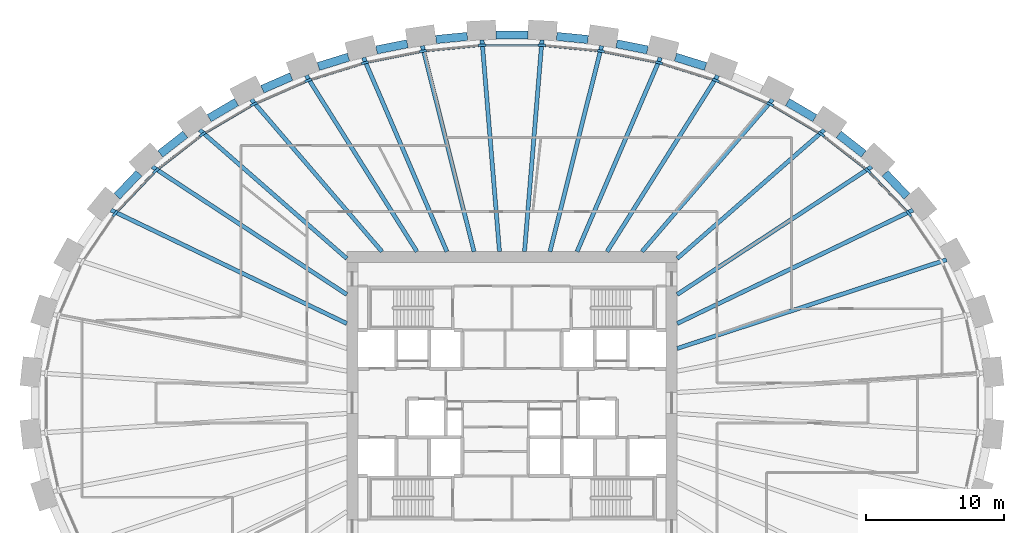
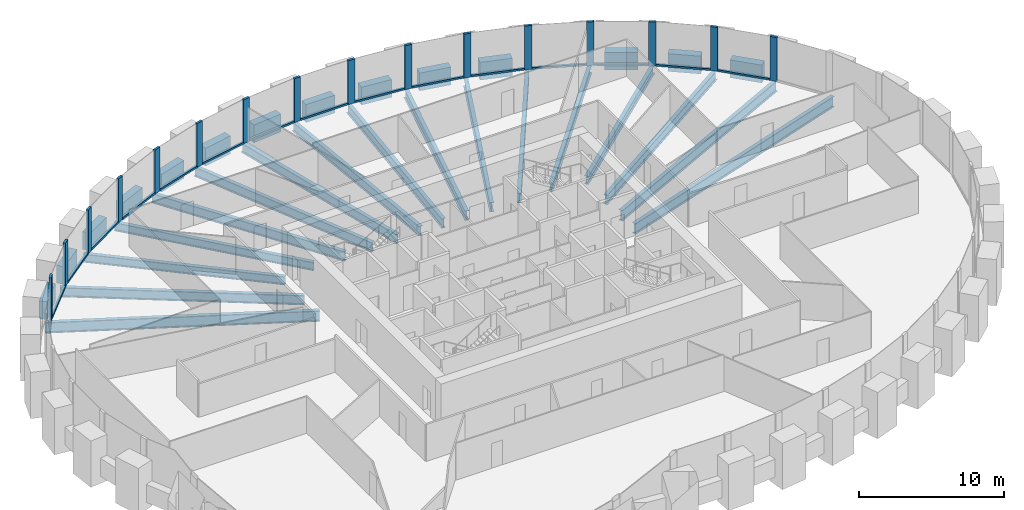
# One storey, part 3 of 11: 31 beams, 31 members, 1 element without a shape of its own.
"""IFC4 building model written with IfcOpenShell, lengths in metres."""

from ifc_helpers import new_model, si_unit, direction, frame, origin, origin_2d, place, context, subcontext, project, spatial, rectangle, i_section, extrude, source, transform, mapped, material, material_profile, profile_set, type_object, element, aggregate, save


model = new_model("IFC4")

# Units and contexts
model_context = context("Model", 3, precision=1e-05, world=origin(), true_north=direction((0.0, 1.0)))
body_context = subcontext(model_context, "Body", "Model", "MODEL_VIEW")
ifc_project = project(units=[si_unit("LENGTHUNIT", "METRE"), si_unit("AREAUNIT", "SQUARE_METRE"), si_unit("VOLUMEUNIT", "CUBIC_METRE"), si_unit("PLANEANGLEUNIT", "RADIAN"), si_unit("MASSUNIT", "GRAM", prefix="KILO")], contexts=[model_context])

# Site, building, storey
site_placement = place(None, origin())
site = spatial("IfcSite", under=ifc_project, at=site_placement, CompositionType="ELEMENT")
building_placement = place(site_placement, origin())
building = spatial("IfcBuilding", under=site, at=building_placement, Name="Embergate Tower", CompositionType="ELEMENT")
storey_placement = place(building_placement, frame((0.0, 0.0, 226.800048828125)))
storey = spatial("IfcBuildingStorey", under=building, at=storey_placement, Name="L52", CompositionType="ELEMENT", Elevation=226.800048828125)

# Beams
ifc_material_1 = material(Name="Concrete C60", Category="concrete")
ifc_material_profile_1 = material_profile(ifc_material_1, rectangle(XDim=0.60009765625, YDim=1.5, at=origin_2d()), Name="RC 600x1500")
ifc_profile_set_1 = profile_set([ifc_material_profile_1], Name="Concrete C60")
beam_type_1 = type_object("IfcBeamType", Name="Spandrel beam RC 600x1500 C60", PredefinedType="BEAM", material=ifc_profile_set_1)
shared_shape_1 = source(origin(), body_context, "Body", "SweptSolid", [
    extrude(rectangle(XDim=0.60009765625, YDim=1.5, at=origin_2d()), origin(), (0.0, 0.0, 1.0), 2.30712890625),
])
for number, where, z_axis, x_axis, name in (
    (1, (28.697998046875, 15.01611328125, 0.0), (-0.690460646057, 0.723369958076, 0.0), (-0.723369958076, -0.690460646057, 0.0), "SPN-L52-03"),
    (2, (-27.10498046875, 16.68505859375, 0.0), (-0.690460646057, -0.723369958076, 0.0), (0.723369958076, -0.690460646057, 0.0), "SPN-L52-17"),
):
    element("IfcBeam", number, at=place(storey_placement, frame(where, z_axis=z_axis, x_axis=x_axis)), inside=storey, type_object=beam_type_1, Name=name, PredefinedType="BEAM", context=body_context, shape_type="MappedRepresentation", body=[
        mapped(shared_shape_1, transform((0.0, 0.0, 0.0))),
    ])
shared_shape_2 = source(origin(), body_context, "Body", "SweptSolid", [
    extrude(rectangle(XDim=0.60009765625, YDim=1.5, at=origin_2d()), origin(), (0.0, 0.0, 1.0), 2.30224609375),
])
for number, where, z_axis, x_axis, name in (
    (3, (25.549072265625, 18.094970703125, 0.0), (-0.788466304813, 0.6150779513, 0.0), (-0.6150779513, -0.788466304813, 0.0), "SPN-L52-04"),
    (4, (-23.73388671875, 19.510986328125, 0.0), (-0.788466304813, -0.6150779513, 0.0), (0.6150779513, -0.788466304813, 0.0), "SPN-L52-16"),
):
    element("IfcBeam", number, at=place(storey_placement, frame(where, z_axis=z_axis, x_axis=x_axis)), inside=storey, type_object=beam_type_1, Name=name, PredefinedType="BEAM", context=body_context, shape_type="MappedRepresentation", body=[
        mapped(shared_shape_2, transform((0.0, 0.0, 0.0))),
    ])
shared_shape_3 = source(origin(), body_context, "Body", "SweptSolid", [
    extrude(rectangle(XDim=0.60009765625, YDim=1.5, at=origin_2d()), origin(), (0.0, 0.0, 1.0), 2.29931640625),
])
for number, where, z_axis, x_axis, name in (
    (5, (21.9970703125, 20.69189453125, 0.0), (-0.86211432003, 0.506713823769, 0.0), (-0.506713823769, -0.86211432003, 0.0), "SPN-L52-05"),
    (6, (-20.014892578125, 21.85693359375, 0.0), (-0.86211432003, -0.506713823769, 0.0), (0.506713823769, -0.86211432003, 0.0), "SPN-L52-15"),
):
    element("IfcBeam", number, at=place(storey_placement, frame(where, z_axis=z_axis, x_axis=x_axis)), inside=storey, type_object=beam_type_1, Name=name, PredefinedType="BEAM", context=body_context, shape_type="MappedRepresentation", body=[
        mapped(shared_shape_3, transform((0.0, 0.0, 0.0))),
    ])
shared_shape_4 = source(origin(), body_context, "Body", "SweptSolid", [
    extrude(rectangle(XDim=0.60009765625, YDim=1.5, at=origin_2d()), origin(), (0.0, 0.0, 1.0), 2.294189453125),
])
beam_1_placement = place(storey_placement, frame((-16.033935546875, 23.712890625, 0.0), z_axis=(-0.916269649714, -0.400562016437, 0.0), x_axis=(0.400562016437, -0.916269649714, 0.0)))
element("IfcBeam", 7, at=beam_1_placement, inside=storey, type_object=beam_type_1, Name="SPN-L52-14", PredefinedType="BEAM", context=body_context, shape_type="MappedRepresentation", body=[
    mapped(shared_shape_4, transform((0.0, 0.0, 0.0))),
])
shared_shape_5 = source(origin(), body_context, "Body", "SweptSolid", [
    extrude(rectangle(XDim=0.60009765625, YDim=1.5, at=origin_2d()), origin(), (0.0, 0.0, 1.0), 2.29248046875),
])
for number, where, z_axis, x_axis, name in (
    (8, (14.06689453125, 24.447021484375, 0.0), (-0.954869530389, 0.297025554345, 0.0), (-0.297025554345, -0.954869530389, 0.0), "SPN-L52-07"),
    (9, (-11.8779296875, 25.1279296875, 0.0), (-0.954869530389, -0.297025554345, 0.0), (0.297025554345, -0.954869530389, 0.0), "SPN-L52-13"),
):
    element("IfcBeam", number, at=place(storey_placement, frame(where, z_axis=z_axis, x_axis=x_axis)), inside=storey, type_object=beam_type_1, Name=name, PredefinedType="BEAM", context=body_context, shape_type="MappedRepresentation", body=[
        mapped(shared_shape_5, transform((0.0, 0.0, 0.0))),
    ])
shared_shape_6 = source(origin(), body_context, "Body", "SweptSolid", [
    extrude(rectangle(XDim=0.60009765625, YDim=1.5, at=origin_2d()), origin(), (0.0, 0.0, 1.0), 2.289794921875),
])
for number, where, z_axis, x_axis, name in (
    (10, (9.843017578125, 25.64794921875, 0.0), (-0.980502681686, 0.196505702735, 0.0), (-0.196505702735, -0.980502681686, 0.0), "SPN-L52-08"),
    (11, (-7.597900390625, 26.097900390625, 0.0), (-0.980502681686, -0.196505702735, 0.0), (0.196505702735, -0.980502681686, 0.0), "SPN-L52-12"),
):
    element("IfcBeam", number, at=place(storey_placement, frame(where, z_axis=z_axis, x_axis=x_axis)), inside=storey, type_object=beam_type_1, Name=name, PredefinedType="BEAM", context=body_context, shape_type="MappedRepresentation", body=[
        mapped(shared_shape_6, transform((0.0, 0.0, 0.0))),
    ])
shared_shape_7 = source(origin(), body_context, "Body", "SweptSolid", [
    extrude(rectangle(XDim=0.60009765625, YDim=1.5, at=origin_2d()), origin(), (0.0, 0.0, 1.0), 2.2890625),
])
for number, where, z_axis, x_axis, name in (
    (12, (5.52099609375, 26.407958984375, 0.0), (-0.995195366702, 0.097909050116, 0.0), (-0.097909050116, -0.995195366702, 0.0), "SPN-L52-09"),
    (13, (-3.242919921875, 26.632080078125, 0.0), (-0.995195366702, -0.097909050116, 0.0), (0.097909050116, -0.995195366702, 0.0), "SPN-L52-11"),
):
    element("IfcBeam", number, at=place(storey_placement, frame(where, z_axis=z_axis, x_axis=x_axis)), inside=storey, type_object=beam_type_1, Name=name, PredefinedType="BEAM", context=body_context, shape_type="MappedRepresentation", body=[
        mapped(shared_shape_7, transform((0.0, 0.0, 0.0))),
    ])
shared_shape_8 = source(origin(), body_context, "Body", "SweptSolid", [
    extrude(rectangle(XDim=0.60009765625, YDim=1.5, at=origin_2d()), origin(), (0.0, 0.0, 1.0), 2.2900390625),
])
beam_2_placement = place(storey_placement, frame((1.14501953125, 26.735107421875, 0.0), z_axis=(-1.0, 0.0, 0.0), x_axis=(0.0, -1.0, 0.0)))
element("IfcBeam", 14, at=beam_2_placement, inside=storey, type_object=beam_type_1, Name="SPN-L52-10", PredefinedType="BEAM", context=body_context, shape_type="MappedRepresentation", body=[
    mapped(shared_shape_8, transform((0.0, 0.0, 0.0))),
])
ifc_material_2 = material(Name="Steel Q355B", Category="steel")
ifc_material_profile_2 = material_profile(ifc_material_2, i_section(OverallWidth=0.300048828125, OverallDepth=0.89990234375, WebThickness=0.01611328125, FlangeThickness=0.028076171875, FilletRadius=0.028076171875, at=origin_2d()), Name="HN 900x300x16x28")
ifc_profile_set_2 = profile_set([ifc_material_profile_2], Name="Steel Q355 grade B")
beam_type_2 = type_object("IfcBeamType", Name="Radial girder HN 900x300x16x28", PredefinedType="BEAM", material=ifc_profile_set_2)
shared_shape_9 = source(origin(), body_context, "Body", "SweptSolid", [
    extrude(i_section(OverallWidth=0.300048828125, OverallDepth=0.89990234375, WebThickness=0.01611328125, FlangeThickness=0.028076171875, FilletRadius=0.028076171875, at=origin_2d()), origin(), (0.0, 0.0, 1.0), 20.614013671875),
])
beam_3_placement = place(storey_placement, frame((31.576904296875, 10.4130859375, -0.650146484375), z_axis=(-0.949691049508, -0.313188298767, 0.0), x_axis=(0.313188298767, -0.949691049508, 0.0)))
element("IfcBeam", 15, at=beam_3_placement, inside=storey, type_object=beam_type_2, Name="GIR-L52-02", PredefinedType="BEAM", context=body_context, shape_type="MappedRepresentation", body=[
    mapped(shared_shape_9, transform((0.0, 0.0, 0.0))),
])
shared_shape_10 = source(origin(), body_context, "Body", "SweptSolid", [
    extrude(i_section(OverallWidth=0.300048828125, OverallDepth=0.89990234375, WebThickness=0.01611328125, FlangeThickness=0.028076171875, FilletRadius=0.028076171875, at=origin_2d()), origin(), (0.0, 0.0, 1.0), 19.0078125),
])
for number, where, z_axis, x_axis, name in (
    (16, (29.12890625, 14.012939453125, -0.650146484375), (-0.901150926949, -0.433505486538, 0.0), (0.433505486538, -0.901150926949, 0.0), "GIR-L52-03"),
    (17, (-29.12890625, 14.012939453125, -0.650146484375), (0.901150926949, -0.433505486538, 0.0), (0.433505486538, 0.901150926949, 0.0), "GIR-L52-18"),
):
    element("IfcBeam", number, at=place(storey_placement, frame(where, z_axis=z_axis, x_axis=x_axis)), inside=storey, type_object=beam_type_2, Name=name, PredefinedType="BEAM", context=body_context, shape_type="MappedRepresentation", body=[
        mapped(shared_shape_10, transform((0.0, 0.0, 0.0))),
    ])
ifc_material_profile_3 = material_profile(ifc_material_2, i_section(OverallWidth=0.300048828125, OverallDepth=0.800048828125, WebThickness=0.013916015625, FlangeThickness=0.02587890625, FilletRadius=0.028076171875, at=origin_2d()), Name="HN 800x300x14x26")
ifc_profile_set_3 = profile_set([ifc_material_profile_3], Name="Steel Q355 grade B")
beam_type_3 = type_object("IfcBeamType", Name="Radial girder HN 800x300x14x26", PredefinedType="BEAM", material=ifc_profile_set_3)
shared_shape_11 = source(origin(), body_context, "Body", "SweptSolid", [
    extrude(i_section(OverallWidth=0.300048828125, OverallDepth=0.800048828125, WebThickness=0.013916015625, FlangeThickness=0.02587890625, FilletRadius=0.028076171875, at=origin_2d()), origin(), (0.0, 0.0, 1.0), 16.89990234375),
])
for number, where, z_axis, x_axis, name in (
    (18, (26.1240234375, 17.1640625, -0.60009765625), (-0.83574544769, -0.549117060986, 0.0), (0.549117060986, -0.83574544769, 0.0), "GIR-L52-04"),
    (19, (-26.1240234375, 17.1640625, -0.60009765625), (0.83574544769, -0.549117060986, 0.0), (0.549117060986, 0.83574544769, 0.0), "GIR-L52-17"),
):
    element("IfcBeam", number, at=place(storey_placement, frame(where, z_axis=z_axis, x_axis=x_axis)), inside=storey, type_object=beam_type_3, Name=name, PredefinedType="BEAM", context=body_context, shape_type="MappedRepresentation", body=[
        mapped(shared_shape_11, transform((0.0, 0.0, 0.0))),
    ])
ifc_material_profile_4 = material_profile(ifc_material_2, i_section(OverallWidth=0.300048828125, OverallDepth=0.699951171875, WebThickness=0.012939453125, FlangeThickness=0.02392578125, FilletRadius=0.01806640625, at=origin_2d()), Name="HN 700x300x13x24")
ifc_profile_set_4 = profile_set([ifc_material_profile_4], Name="Steel Q355 grade B")
beam_type_4 = type_object("IfcBeamType", Name="Radial girder HN 700x300x13x24", PredefinedType="BEAM", material=ifc_profile_set_4)
shared_shape_12 = source(origin(), body_context, "Body", "SweptSolid", [
    extrude(i_section(OverallWidth=0.300048828125, OverallDepth=0.699951171875, WebThickness=0.012939453125, FlangeThickness=0.02392578125, FilletRadius=0.01806640625, at=origin_2d()), origin(), (0.0, 0.0, 1.0), 14.2021484375),
])
for number, where, z_axis, x_axis, name in (
    (20, (22.69091796875, 19.843017578125, -0.550048828125), (-0.752766213958, -0.658287951525, 0.0), (0.658287951525, -0.752766213958, 0.0), "GIR-L52-05"),
    (21, (-22.69091796875, 19.843017578125, -0.550048828125), (0.752766213958, -0.658287951525, 0.0), (0.658287951525, 0.752766213958, 0.0), "GIR-L52-16"),
):
    element("IfcBeam", number, at=place(storey_placement, frame(where, z_axis=z_axis, x_axis=x_axis)), inside=storey, type_object=beam_type_4, Name=name, PredefinedType="BEAM", context=body_context, shape_type="MappedRepresentation", body=[
        mapped(shared_shape_12, transform((0.0, 0.0, 0.0))),
    ])
shared_shape_13 = source(origin(), body_context, "Body", "SweptSolid", [
    extrude(i_section(OverallWidth=0.300048828125, OverallDepth=0.699951171875, WebThickness=0.012939453125, FlangeThickness=0.02392578125, FilletRadius=0.01806640625, at=origin_2d()), origin(), (0.0, 0.0, 1.0), 14.566650390625),
])
for number, where, z_axis, x_axis, name in (
    (22, (18.93603515625, 22.051025390625, -0.550048828125), (-0.651490890216, -0.758656457144, 0.0), (0.758656457144, -0.651490890216, 0.0), "GIR-L52-06"),
    (23, (-18.93603515625, 22.051025390625, -0.550048828125), (0.651490890216, -0.758656457144, 0.0), (0.758656457144, 0.651490890216, 0.0), "GIR-L52-15"),
):
    element("IfcBeam", number, at=place(storey_placement, frame(where, z_axis=z_axis, x_axis=x_axis)), inside=storey, type_object=beam_type_4, Name=name, PredefinedType="BEAM", context=body_context, shape_type="MappedRepresentation", body=[
        mapped(shared_shape_13, transform((0.0, 0.0, 0.0))),
    ])
shared_shape_14 = source(origin(), body_context, "Body", "SweptSolid", [
    extrude(i_section(OverallWidth=0.300048828125, OverallDepth=0.800048828125, WebThickness=0.013916015625, FlangeThickness=0.02587890625, FilletRadius=0.028076171875, at=origin_2d()), origin(), (0.0, 0.0, 1.0), 15.111572265625),
])
for number, where, z_axis, x_axis, name in (
    (24, (14.945068359375, 23.797119140625, -0.60009765625), (-0.531849241283, -0.846839054689, 0.0), (0.846839054689, -0.531849241283, 0.0), "GIR-L52-07"),
    (25, (-14.945068359375, 23.797119140625, -0.60009765625), (0.531849241283, -0.846839054689, 0.0), (0.846839054689, 0.531849241283, 0.0), "GIR-L52-14"),
):
    element("IfcBeam", number, at=place(storey_placement, frame(where, z_axis=z_axis, x_axis=x_axis)), inside=storey, type_object=beam_type_3, Name=name, PredefinedType="BEAM", context=body_context, shape_type="MappedRepresentation", body=[
        mapped(shared_shape_14, transform((0.0, 0.0, 0.0))),
    ])
shared_shape_15 = source(origin(), body_context, "Body", "SweptSolid", [
    extrude(i_section(OverallWidth=0.300048828125, OverallDepth=0.800048828125, WebThickness=0.013916015625, FlangeThickness=0.02587890625, FilletRadius=0.028076171875, at=origin_2d()), origin(), (0.0, 0.0, 1.0), 15.338623046875),
])
for number, where, z_axis, x_axis, name in (
    (26, (10.784912109375, 25.092041015625, -0.60009765625), (-0.394879579292, -0.91873288711, 0.0), (0.91873288711, -0.394879579292, 0.0), "GIR-L52-08"),
    (27, (-10.784912109375, 25.092041015625, -0.60009765625), (0.394879579292, -0.91873288711, 0.0), (0.91873288711, 0.394879579292, 0.0), "GIR-L52-13"),
):
    element("IfcBeam", number, at=place(storey_placement, frame(where, z_axis=z_axis, x_axis=x_axis)), inside=storey, type_object=beam_type_3, Name=name, PredefinedType="BEAM", context=body_context, shape_type="MappedRepresentation", body=[
        mapped(shared_shape_15, transform((0.0, 0.0, 0.0))),
    ])
shared_shape_16 = source(origin(), body_context, "Body", "SweptSolid", [
    extrude(i_section(OverallWidth=0.300048828125, OverallDepth=0.800048828125, WebThickness=0.013916015625, FlangeThickness=0.02587890625, FilletRadius=0.028076171875, at=origin_2d()), origin(), (0.0, 0.0, 1.0), 15.412841796875),
])
for number, where, z_axis, x_axis, name in (
    (28, (6.513916015625, 25.948974609375, -0.60009765625), (-0.243493364417, -0.969902562882, 0.0), (0.969902562882, -0.243493364417, 0.0), "GIR-L52-09"),
    (29, (-6.513916015625, 25.948974609375, -0.60009765625), (0.243493364417, -0.969902562882, 0.0), (0.969902562882, 0.243493364417, 0.0), "GIR-L52-12"),
):
    element("IfcBeam", number, at=place(storey_placement, frame(where, z_axis=z_axis, x_axis=x_axis)), inside=storey, type_object=beam_type_3, Name=name, PredefinedType="BEAM", context=body_context, shape_type="MappedRepresentation", body=[
        mapped(shared_shape_16, transform((0.0, 0.0, 0.0))),
    ])
shared_shape_17 = source(origin(), body_context, "Body", "SweptSolid", [
    extrude(i_section(OverallWidth=0.300048828125, OverallDepth=0.800048828125, WebThickness=0.013916015625, FlangeThickness=0.02587890625, FilletRadius=0.028076171875, at=origin_2d()), origin(), (0.0, 0.0, 1.0), 15.42724609375),
])
for number, where, z_axis, x_axis, name in (
    (30, (2.178955078125, 26.375, -0.60009765625), (-0.0823225207, -0.996605740795, 0.0), (0.996605740795, -0.0823225207, 0.0), "GIR-L52-10"),
    (31, (-2.178955078125, 26.375, -0.60009765625), (0.0823225207, -0.996605740795, 0.0), (0.996605740795, 0.0823225207, 0.0), "GIR-L52-11"),
):
    element("IfcBeam", number, at=place(storey_placement, frame(where, z_axis=z_axis, x_axis=x_axis)), inside=storey, type_object=beam_type_3, Name=name, PredefinedType="BEAM", context=body_context, shape_type="MappedRepresentation", body=[
        mapped(shared_shape_17, transform((0.0, 0.0, 0.0))),
    ])

# Curtain wall, members
ifc_material_3 = material(Name="Aluminium and glass", Category="aluminium")
curtain_wall_type = type_object("IfcCurtainWallType", Name="Recessed office glazing", PredefinedType="NOTDEFINED", material=ifc_material_3)
curtain_wall_placement = place(storey_placement, origin())
curtain_wall = element("IfcCurtainWall", 32, at=curtain_wall_placement, inside=storey, type_object=curtain_wall_type, Name="Recessed office glazing ring", ObjectType="RECESSED OFFICE GLAZING", PredefinedType="USERDEFINED")
ifc_material_4 = material(Name="Aluminium, thermally broken", Category="aluminium")
ifc_material_profile_5 = material_profile(ifc_material_4, rectangle(XDim=0.179931640625, YDim=0.52001953125, at=origin_2d()), Name="AL 520x180")
ifc_profile_set_5 = profile_set([ifc_material_profile_5], Name="Aluminium, thermally broken")
member_type_1 = type_object("IfcMemberType", Name="Office mullion", PredefinedType="MULLION", material=ifc_profile_set_5)
shared_shape_18 = source(origin(), body_context, "Body", "SweptSolid", [
    extrude(rectangle(XDim=0.179931640625, YDim=0.52001953125, at=origin_2d()), origin(), (0.0, 0.0, 1.0), 3.699951171875),
])
member_1_placement = place(storey_placement, frame((28.826171875, 13.76708984375, 0.0), z_axis=(0.0, 0.0, 1.0), x_axis=(-0.777872564355, -0.628422050555, 0.0)))
member_1 = element("IfcMember", 33, at=member_1_placement, type_object=member_type_1, Name="CW mullion 4", PredefinedType="MULLION", context=body_context, shape_type="MappedRepresentation", body=[
    mapped(shared_shape_18, transform((0.0, 0.0, 0.0))),
])
member_2_placement = place(storey_placement, frame((25.86279296875, 16.87451171875, 0.0), z_axis=(0.0, 0.0, 1.0), x_axis=(-0.671227827685, -0.741251106806, 0.0)))
member_2 = element("IfcMember", 34, at=member_2_placement, type_object=member_type_1, Name="CW mullion 5", PredefinedType="MULLION", context=body_context, shape_type="MappedRepresentation", body=[
    mapped(shared_shape_18, transform((0.0, 0.0, 0.0))),
])
member_3_placement = place(storey_placement, frame((22.472412109375, 19.520751953125, 0.0), z_axis=(0.0, 0.0, 1.0), x_axis=(-0.562219061911, -0.826988347211, 0.0)))
member_3 = element("IfcMember", 35, at=member_3_placement, type_object=member_type_1, Name="CW mullion 6", PredefinedType="MULLION", context=body_context, shape_type="MappedRepresentation", body=[
    mapped(shared_shape_18, transform((0.0, 0.0, 0.0))),
])
member_4_placement = place(storey_placement, frame((18.759521484375, 21.70361328125, 0.0), z_axis=(0.0, 0.0, 1.0), x_axis=(-0.454512935162, -0.89074013706, 0.0)))
member_4 = element("IfcMember", 36, at=member_4_placement, type_object=member_type_1, Name="CW mullion 7", PredefinedType="MULLION", context=body_context, shape_type="MappedRepresentation", body=[
    mapped(shared_shape_18, transform((0.0, 0.0, 0.0))),
])
member_5_placement = place(storey_placement, frame((14.80908203125, 23.430908203125, 0.0), z_axis=(0.0, 0.0, 1.0), x_axis=(-0.349504318111, -0.93693475313, 0.0)))
member_5 = element("IfcMember", 37, at=member_5_placement, type_object=member_type_1, Name="CW mullion 8", PredefinedType="MULLION", context=body_context, shape_type="MappedRepresentation", body=[
    mapped(shared_shape_18, transform((0.0, 0.0, 0.0))),
])
member_6_placement = place(storey_placement, frame((10.689453125, 24.7138671875, 0.0), z_axis=(0.0, 0.0, 1.0), x_axis=(-0.247313572481, -0.968935496752, 0.0)))
member_6 = element("IfcMember", 38, at=member_6_placement, type_object=member_type_1, Name="CW mullion 9", PredefinedType="MULLION", context=body_context, shape_type="MappedRepresentation", body=[
    mapped(shared_shape_18, transform((0.0, 0.0, 0.0))),
])
member_7_placement = place(storey_placement, frame((6.456787109375, 25.562744140625, 0.0), z_axis=(0.0, 0.0, 1.0), x_axis=(-0.14741410908, -0.98907486089, 0.0)))
member_7 = element("IfcMember", 39, at=member_7_placement, type_object=member_type_1, Name="CW mullion 10", PredefinedType="MULLION", context=body_context, shape_type="MappedRepresentation", body=[
    mapped(shared_shape_18, transform((0.0, 0.0, 0.0))),
])
member_8_placement = place(storey_placement, frame((2.1591796875, 25.9853515625, 0.0), z_axis=(0.0, 0.0, 1.0), x_axis=(-0.048971796621, -0.998800161762, 0.0)))
member_8 = element("IfcMember", 40, at=member_8_placement, type_object=member_type_1, Name="CW mullion 11", PredefinedType="MULLION", context=body_context, shape_type="MappedRepresentation", body=[
    mapped(shared_shape_18, transform((0.0, 0.0, 0.0))),
])
member_9_placement = place(storey_placement, frame((-2.1591796875, 25.9853515625, 0.0), z_axis=(0.0, 0.0, 1.0), x_axis=(0.048971796621, -0.998800161762, 0.0)))
member_9 = element("IfcMember", 41, at=member_9_placement, type_object=member_type_1, Name="CW mullion 12", PredefinedType="MULLION", context=body_context, shape_type="MappedRepresentation", body=[
    mapped(shared_shape_18, transform((0.0, 0.0, 0.0))),
])
member_10_placement = place(storey_placement, frame((-6.456787109375, 25.562744140625, 0.0), z_axis=(0.0, 0.0, 1.0), x_axis=(0.14741410908, -0.98907486089, 0.0)))
member_10 = element("IfcMember", 42, at=member_10_placement, type_object=member_type_1, Name="CW mullion 13", PredefinedType="MULLION", context=body_context, shape_type="MappedRepresentation", body=[
    mapped(shared_shape_18, transform((0.0, 0.0, 0.0))),
])
member_11_placement = place(storey_placement, frame((-10.689453125, 24.7138671875, 0.0), z_axis=(0.0, 0.0, 1.0), x_axis=(0.247313572481, -0.968935496752, 0.0)))
member_11 = element("IfcMember", 43, at=member_11_placement, type_object=member_type_1, Name="CW mullion 14", PredefinedType="MULLION", context=body_context, shape_type="MappedRepresentation", body=[
    mapped(shared_shape_18, transform((0.0, 0.0, 0.0))),
])
member_12_placement = place(storey_placement, frame((-14.80908203125, 23.430908203125, 0.0), z_axis=(0.0, 0.0, 1.0), x_axis=(0.349504318111, -0.93693475313, 0.0)))
member_12 = element("IfcMember", 44, at=member_12_placement, type_object=member_type_1, Name="CW mullion 15", PredefinedType="MULLION", context=body_context, shape_type="MappedRepresentation", body=[
    mapped(shared_shape_18, transform((0.0, 0.0, 0.0))),
])
member_13_placement = place(storey_placement, frame((-18.759521484375, 21.70361328125, 0.0), z_axis=(0.0, 0.0, 1.0), x_axis=(0.454512935162, -0.89074013706, 0.0)))
member_13 = element("IfcMember", 45, at=member_13_placement, type_object=member_type_1, Name="CW mullion 16", PredefinedType="MULLION", context=body_context, shape_type="MappedRepresentation", body=[
    mapped(shared_shape_18, transform((0.0, 0.0, 0.0))),
])
member_14_placement = place(storey_placement, frame((-22.472412109375, 19.520751953125, 0.0), z_axis=(0.0, 0.0, 1.0), x_axis=(0.562219061911, -0.826988347211, 0.0)))
member_14 = element("IfcMember", 46, at=member_14_placement, type_object=member_type_1, Name="CW mullion 17", PredefinedType="MULLION", context=body_context, shape_type="MappedRepresentation", body=[
    mapped(shared_shape_18, transform((0.0, 0.0, 0.0))),
])
member_15_placement = place(storey_placement, frame((-25.86279296875, 16.87451171875, 0.0), z_axis=(0.0, 0.0, 1.0), x_axis=(0.671227827685, -0.741251106806, 0.0)))
member_15 = element("IfcMember", 47, at=member_15_placement, type_object=member_type_1, Name="CW mullion 18", PredefinedType="MULLION", context=body_context, shape_type="MappedRepresentation", body=[
    mapped(shared_shape_18, transform((0.0, 0.0, 0.0))),
])
member_16_placement = place(storey_placement, frame((-28.826171875, 13.76708984375, 0.0), z_axis=(0.0, 0.0, 1.0), x_axis=(0.777872564355, -0.628422050555, 0.0)))
member_16 = element("IfcMember", 48, at=member_16_placement, type_object=member_type_1, Name="CW mullion 19", PredefinedType="MULLION", context=body_context, shape_type="MappedRepresentation", body=[
    mapped(shared_shape_18, transform((0.0, 0.0, 0.0))),
])
ifc_material_profile_6 = material_profile(ifc_material_4, rectangle(XDim=0.179931640625, YDim=0.14990234375, at=origin_2d()), Name="AL 150x180")
ifc_profile_set_6 = profile_set([ifc_material_profile_6], Name="Aluminium, thermally broken")
member_type_2 = type_object("IfcMemberType", Name="Office sill transom", PredefinedType="USERDEFINED", material=ifc_profile_set_6)
shared_shape_19 = source(origin(), body_context, "Body", "SweptSolid", [
    extrude(rectangle(XDim=0.179931640625, YDim=0.14990234375, at=origin_2d()), origin(), (0.0, 0.0, 1.0), 3.773681640625),
])
member_17_placement = place(storey_placement, frame((28.646484375, 13.955322265625, 0.074951171875), z_axis=(-0.690118677227, 0.723696214818, 0.0), x_axis=(-0.723696214818, -0.690118677227, 0.0)))
member_17 = element("IfcMember", 49, at=member_17_placement, type_object=member_type_2, Name="CW transom 4.1", ObjectType="TRANSOM", PredefinedType="USERDEFINED", context=body_context, shape_type="MappedRepresentation", body=[
    mapped(shared_shape_19, transform((0.0, 0.0, 0.0))),
])
member_18_placement = place(storey_placement, frame((-26.042236328125, 16.686279296875, 0.074951171875), z_axis=(-0.690118677227, -0.723696214818, 0.0), x_axis=(0.723696214818, -0.690118677227, 0.0)))
member_18 = element("IfcMember", 50, at=member_18_placement, type_object=member_type_2, Name="CW transom 18.1", ObjectType="TRANSOM", PredefinedType="USERDEFINED", context=body_context, shape_type="MappedRepresentation", body=[
    mapped(shared_shape_19, transform((0.0, 0.0, 0.0))),
])
shared_shape_20 = source(origin(), body_context, "Body", "SweptSolid", [
    extrude(rectangle(XDim=0.179931640625, YDim=0.14990234375, at=origin_2d()), origin(), (0.0, 0.0, 1.0), 3.781005859375),
])
member_19_placement = place(storey_placement, frame((25.657958984375, 17.034423828125, 0.074951171875), z_axis=(-0.788315019644, 0.615271834073, 0.0), x_axis=(-0.615271834073, -0.788315019644, 0.0)))
member_19 = element("IfcMember", 51, at=member_19_placement, type_object=member_type_2, Name="CW transom 5.1", ObjectType="TRANSOM", PredefinedType="USERDEFINED", context=body_context, shape_type="MappedRepresentation", body=[
    mapped(shared_shape_20, transform((0.0, 0.0, 0.0))),
])
member_20_placement = place(storey_placement, frame((-22.67724609375, 19.36083984375, 0.074951171875), z_axis=(-0.788315019644, -0.615271834073, 0.0), x_axis=(0.615271834073, -0.788315019644, 0.0)))
member_20 = element("IfcMember", 52, at=member_20_placement, type_object=member_type_2, Name="CW transom 17.1", ObjectType="TRANSOM", PredefinedType="USERDEFINED", context=body_context, shape_type="MappedRepresentation", body=[
    mapped(shared_shape_20, transform((0.0, 0.0, 0.0))),
])
shared_shape_21 = source(origin(), body_context, "Body", "SweptSolid", [
    extrude(rectangle(XDim=0.179931640625, YDim=0.14990234375, at=origin_2d()), origin(), (0.0, 0.0, 1.0), 3.786865234375),
])
member_21_placement = place(storey_placement, frame((22.248046875, 19.652587890625, 0.074951171875), z_axis=(-0.862071738168, 0.506786264862, 0.0), x_axis=(-0.506786264862, -0.862071738168, 0.0)))
member_21 = element("IfcMember", 53, at=member_21_placement, type_object=member_type_2, Name="CW transom 6.1", ObjectType="TRANSOM", PredefinedType="USERDEFINED", context=body_context, shape_type="MappedRepresentation", body=[
    mapped(shared_shape_21, transform((0.0, 0.0, 0.0))),
])
member_22_placement = place(storey_placement, frame((-18.9833984375, 21.57177734375, 0.074951171875), z_axis=(-0.862071738168, -0.506786264862, 0.0), x_axis=(0.506786264862, -0.862071738168, 0.0)))
member_22 = element("IfcMember", 54, at=member_22_placement, type_object=member_type_2, Name="CW transom 16.1", ObjectType="TRANSOM", PredefinedType="USERDEFINED", context=body_context, shape_type="MappedRepresentation", body=[
    mapped(shared_shape_21, transform((0.0, 0.0, 0.0))),
])
shared_shape_22 = source(origin(), body_context, "Body", "SweptSolid", [
    extrude(rectangle(XDim=0.179931640625, YDim=0.14990234375, at=origin_2d()), origin(), (0.0, 0.0, 1.0), 3.79150390625),
])
member_23_placement = place(storey_placement, frame((18.521240234375, 21.807861328125, 0.074951171875), z_axis=(-0.916232688924, 0.400646552146, 0.0), x_axis=(-0.400646552146, -0.916232688924, 0.0)))
member_23 = element("IfcMember", 55, at=member_23_placement, type_object=member_type_2, Name="CW transom 7.1", ObjectType="TRANSOM", PredefinedType="USERDEFINED", context=body_context, shape_type="MappedRepresentation", body=[
    mapped(shared_shape_22, transform((0.0, 0.0, 0.0))),
])
member_24_placement = place(storey_placement, frame((-15.04736328125, 23.326904296875, 0.074951171875), z_axis=(-0.916232688924, -0.400646552146, 0.0), x_axis=(0.400646552146, -0.916232688924, 0.0)))
member_24 = element("IfcMember", 56, at=member_24_placement, type_object=member_type_2, Name="CW transom 15.1", ObjectType="TRANSOM", PredefinedType="USERDEFINED", context=body_context, shape_type="MappedRepresentation", body=[
    mapped(shared_shape_22, transform((0.0, 0.0, 0.0))),
])
shared_shape_23 = source(origin(), body_context, "Body", "SweptSolid", [
    extrude(rectangle(XDim=0.179931640625, YDim=0.14990234375, at=origin_2d()), origin(), (0.0, 0.0, 1.0), 3.794677734375),
])
member_25_placement = place(storey_placement, frame((14.560791015625, 23.50830078125, 0.074951171875), z_axis=(-0.954763453415, 0.297366353213, 0.0), x_axis=(-0.297366353213, -0.954763453415, 0.0)))
member_25 = element("IfcMember", 57, at=member_25_placement, type_object=member_type_2, Name="CW transom 8.1", ObjectType="TRANSOM", PredefinedType="USERDEFINED", context=body_context, shape_type="MappedRepresentation", body=[
    mapped(shared_shape_23, transform((0.0, 0.0, 0.0))),
])
member_26_placement = place(storey_placement, frame((-10.937744140625, 24.63671875, 0.074951171875), z_axis=(-0.954763453415, -0.297366353213, 0.0), x_axis=(0.297366353213, -0.954763453415, 0.0)))
member_26 = element("IfcMember", 58, at=member_26_placement, type_object=member_type_2, Name="CW transom 14.1", ObjectType="TRANSOM", PredefinedType="USERDEFINED", context=body_context, shape_type="MappedRepresentation", body=[
    mapped(shared_shape_23, transform((0.0, 0.0, 0.0))),
])
shared_shape_24 = source(origin(), body_context, "Body", "SweptSolid", [
    extrude(rectangle(XDim=0.179931640625, YDim=0.14990234375, at=origin_2d()), origin(), (0.0, 0.0, 1.0), 3.797119140625),
])
member_27_placement = place(storey_placement, frame((10.4345703125, 24.76513671875, 0.074951171875), z_axis=(-0.980479151748, 0.196623073385, 0.0), x_axis=(-0.196623073385, -0.980479151748, 0.0)))
member_27 = element("IfcMember", 59, at=member_27_placement, type_object=member_type_2, Name="CW transom 9.1", ObjectType="TRANSOM", PredefinedType="USERDEFINED", context=body_context, shape_type="MappedRepresentation", body=[
    mapped(shared_shape_24, transform((0.0, 0.0, 0.0))),
])
member_28_placement = place(storey_placement, frame((-6.711669921875, 25.51171875, 0.074951171875), z_axis=(-0.980479151748, -0.196623073385, 0.0), x_axis=(0.196623073385, -0.980479151748, 0.0)))
member_28 = element("IfcMember", 60, at=member_28_placement, type_object=member_type_2, Name="CW transom 13.1", ObjectType="TRANSOM", PredefinedType="USERDEFINED", context=body_context, shape_type="MappedRepresentation", body=[
    mapped(shared_shape_24, transform((0.0, 0.0, 0.0))),
])
shared_shape_25 = source(origin(), body_context, "Body", "SweptSolid", [
    extrude(rectangle(XDim=0.179931640625, YDim=0.14990234375, at=origin_2d()), origin(), (0.0, 0.0, 1.0), 3.798095703125),
])
member_29_placement = place(storey_placement, frame((6.197998046875, 25.58837890625, 0.074951171875), z_axis=(-0.995202542426, 0.097836085104, 0.0), x_axis=(-0.097836085104, -0.995202542426, 0.0)))
member_29 = element("IfcMember", 61, at=member_29_placement, type_object=member_type_2, Name="CW transom 10.1", ObjectType="TRANSOM", PredefinedType="USERDEFINED", context=body_context, shape_type="MappedRepresentation", body=[
    mapped(shared_shape_25, transform((0.0, 0.0, 0.0))),
])
member_30_placement = place(storey_placement, frame((-2.418212890625, 25.9599609375, 0.074951171875), z_axis=(-0.995202542426, -0.097836085104, 0.0), x_axis=(0.097836085104, -0.995202542426, 0.0)))
member_30 = element("IfcMember", 62, at=member_30_placement, type_object=member_type_2, Name="CW transom 12.1", ObjectType="TRANSOM", PredefinedType="USERDEFINED", context=body_context, shape_type="MappedRepresentation", body=[
    mapped(shared_shape_25, transform((0.0, 0.0, 0.0))),
])
shared_shape_26 = source(origin(), body_context, "Body", "SweptSolid", [
    extrude(rectangle(XDim=0.179931640625, YDim=0.14990234375, at=origin_2d()), origin(), (0.0, 0.0, 1.0), 3.798828125),
])
member_31_placement = place(storey_placement, frame((1.8994140625, 25.9853515625, 0.074951171875), z_axis=(-1.0, 0.0, 0.0), x_axis=(0.0, -1.0, 0.0)))
member_31 = element("IfcMember", 63, at=member_31_placement, type_object=member_type_2, Name="CW transom 11.1", ObjectType="TRANSOM", PredefinedType="USERDEFINED", context=body_context, shape_type="MappedRepresentation", body=[
    mapped(shared_shape_26, transform((0.0, 0.0, 0.0))),
])
aggregate(curtain_wall, [member_1, member_2, member_3, member_4, member_5, member_6, member_7, member_8, member_9, member_10, member_11, member_12, member_13, member_14, member_15, member_16, member_17, member_19, member_21, member_23, member_25, member_27, member_29, member_31, member_30, member_28, member_26, member_24, member_22, member_20, member_18])

save(model, "model.ifc")
